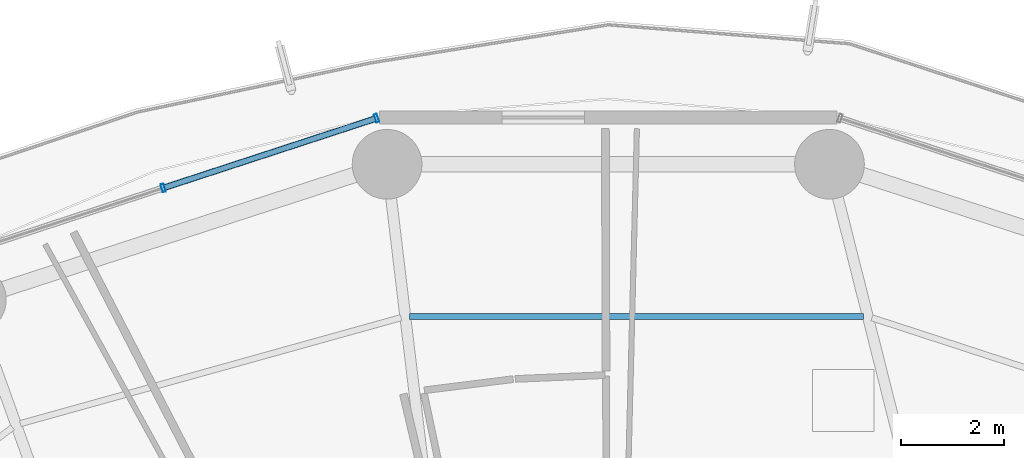
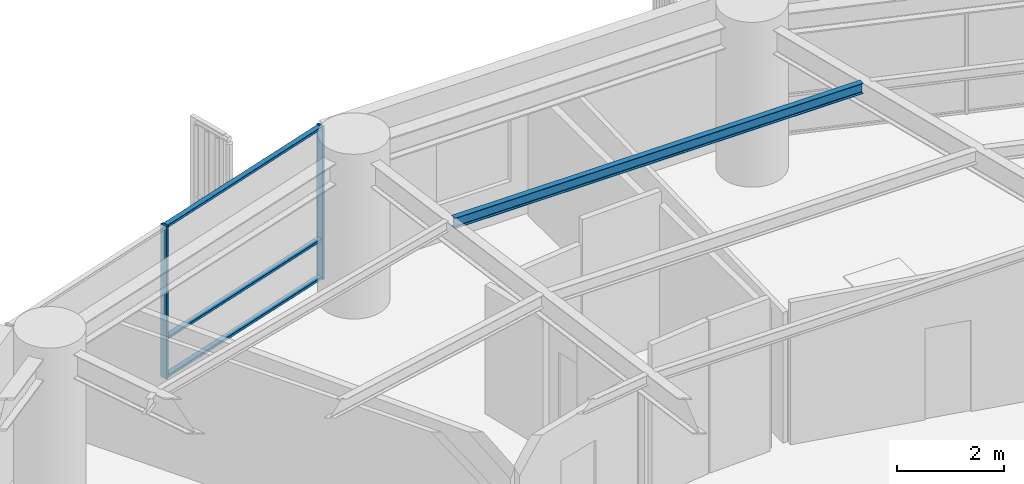
# One storey, part 22 of 35: 5 members, 1 beam, 1 element without a shape of its own.
"""IFC4 building model written with IfcOpenShell, lengths in metres."""

import ifcopenshell
import ifcopenshell.guid

model = None  # the IFC model being written
_history = None  # IfcOwnerHistory: only IFC2X3 demands one
_inside = {}  # id of a spatial element -> (the spatial element, [elements in it])
_under = {}  # id of a project, library or spatial element -> (it, [spatial elements below it])
_declared = {}  # id of a project -> (the project, [libraries it declares])
_typed = {}  # id of a type object -> (the type object, [elements of that type])
_made_of = {}  # id of a material, layer set ... -> (it, [elements and type objects made of it])


def new_model(schema):
    """Start an empty IFC model of exactly this schema.

    Asked for "IFC4X3", IfcOpenShell would pick the latest addendum, in which some entities
    have other attributes; the version numbers below select the first issue.
    IFC2X3 requires an IfcOwnerHistory on every rooted entity: one is made here for all.
    """
    global model, _history
    if schema == "IFC4X3":
        model = ifcopenshell.file(schema_version=(4, 3, 0, 0))
    else:
        model = ifcopenshell.file(schema=schema)
    _inside.clear()
    _under.clear()
    _declared.clear()
    _typed.clear()
    _made_of.clear()
    _history = None
    if model.schema == "IFC2X3":
        org = make("IfcOrganization", Name="unknown")
        user = make(
            "IfcPersonAndOrganization",
            ThePerson=make("IfcPerson", FamilyName="unknown"),
            TheOrganization=org,
        )
        app = make(
            "IfcApplication",
            ApplicationDeveloper=org,
            Version="unknown",
            ApplicationFullName="unknown",
            ApplicationIdentifier="unknown",
        )
        _history = make(
            "IfcOwnerHistory",
            OwningUser=user,
            OwningApplication=app,
            ChangeAction="ADDED",
            CreationDate=0,
        )
    return model


def make(cls, **values):
    """One entity of the class cls with the attributes given. An attribute that is None is left unset."""
    return model.create_entity(
        cls, **{name: value for name, value in values.items() if value is not None}
    )


def rooted(cls, **values):
    """An entity with a GlobalId (a new one), such as an element, a storey or a relation."""
    return make(cls, GlobalId=ifcopenshell.guid.new(), OwnerHistory=_history, **values)


def si_unit(unit_type, name, prefix=None):
    """IfcSIUnit, for example si_unit("LENGTHUNIT", "METRE", prefix="MILLI")."""
    return make("IfcSIUnit", UnitType=unit_type, Prefix=prefix, Name=name)


def assignment(units):
    """IfcUnitAssignment: the units of a project."""
    return None if units is None else make("IfcUnitAssignment", Units=units)


def point(xyz):
    """IfcCartesianPoint."""
    return None if xyz is None else make("IfcCartesianPoint", Coordinates=xyz)


def direction(xyz):
    """IfcDirection."""
    return None if xyz is None else make("IfcDirection", DirectionRatios=xyz)


def frame(location, z_axis=None, x_axis=None):
    """IfcAxis2Placement3D, a coordinate frame: its origin and axes. An axis left out is left unset."""
    return make(
        "IfcAxis2Placement3D",
        Location=point(location),
        Axis=direction(z_axis),
        RefDirection=direction(x_axis),
    )


def frame_2d(location, x_axis=None):
    """IfcAxis2Placement2D, a coordinate frame in the plane: its origin and x axis."""
    return make(
        "IfcAxis2Placement2D", Location=point(location), RefDirection=direction(x_axis)
    )


def origin():
    """The frame at (0, 0, 0) with its axes left unset."""
    return frame((0.0, 0.0, 0.0))


def origin_2d():
    """The frame at (0, 0) in the plane with its x axis left unset."""
    return frame_2d((0.0, 0.0))


def place(relative_to, where):
    """IfcLocalPlacement: puts the frame where relative to a parent placement (None: the world)."""
    return make(
        "IfcLocalPlacement", PlacementRelTo=relative_to, RelativePlacement=where
    )


def context(
    kind, dimensions, precision=None, world=None, true_north=None, identifier=None
):
    """IfcGeometricRepresentationContext, for example the 3D "Model" context."""
    return make(
        "IfcGeometricRepresentationContext",
        ContextIdentifier=identifier,
        ContextType=kind,
        CoordinateSpaceDimension=dimensions,
        Precision=precision,
        WorldCoordinateSystem=world,
        TrueNorth=true_north,
    )


def subcontext(parent, identifier, kind, view, scale=None):
    """IfcGeometricRepresentationSubContext, for example "Body" below "Model"."""
    return make(
        "IfcGeometricRepresentationSubContext",
        ContextIdentifier=identifier,
        ContextType=kind,
        ParentContext=parent,
        TargetScale=scale,
        TargetView=view,
    )


def project(units=None, contexts=None):
    """IfcProject with its units and contexts."""
    return rooted(
        "IfcProject",
        Name="project",
        RepresentationContexts=contexts,
        UnitsInContext=assignment(units),
    )


def spatial(cls, under=None, at=None, **own):
    """A site, building, storey or space (cls), placed at a placement, below another one or the project."""
    s = rooted(cls, ObjectPlacement=at, **own)
    if under is not None:
        _under.setdefault(under.id(), (under, []))[1].append(s)
    return s


def profile(cls, at=None, kind="AREA", **sizes):
    """A parametric profile (cls). Its sizes go by their IFC names, for example OverallWidth=200.0."""
    return make(cls, ProfileType=kind, Position=at, **sizes)


def hollow_rectangle(**sizes):
    """IfcRectangleHollowProfileDef."""
    return profile("IfcRectangleHollowProfileDef", **sizes)


def i_section(**sizes):
    """IfcIShapeProfileDef."""
    return profile("IfcIShapeProfileDef", **sizes)


def extrude(swept, where, along, depth):
    """IfcExtrudedAreaSolid: the profile swept, set in the frame where, extruded along a direction by depth."""
    return make(
        "IfcExtrudedAreaSolid",
        SweptArea=swept,
        Position=where,
        ExtrudedDirection=direction(along),
        Depth=depth,
    )


def shape(context_of_items, identifier, shape_type, items):
    """IfcShapeRepresentation: the items that make up one representation, for example the "Body"."""
    return make(
        "IfcShapeRepresentation",
        ContextOfItems=context_of_items,
        RepresentationIdentifier=identifier,
        RepresentationType=shape_type,
        Items=items,
    )


def material(Name=None, Category=None):
    """IfcMaterial."""
    return make("IfcMaterial", Name=Name, Category=Category)


def layer(
    of_material, thickness, ventilated=None, Name=None, Category=None, Priority=None
):
    """IfcMaterialLayer: one layer of a wall or slab, of a material (None: an air gap)."""
    return make(
        "IfcMaterialLayer",
        Material=of_material,
        LayerThickness=thickness,
        IsVentilated=ventilated,
        Name=Name,
        Category=Category,
        Priority=Priority,
    )


def layer_set(layers, Name=None):
    """IfcMaterialLayerSet."""
    return make("IfcMaterialLayerSet", MaterialLayers=layers, LayerSetName=Name)


def material_profile(
    of_material, cross_section, Name=None, Category=None, Priority=None
):
    """IfcMaterialProfile: a cross section and its material."""
    return make(
        "IfcMaterialProfile",
        Name=Name,
        Material=of_material,
        Profile=cross_section,
        Priority=Priority,
        Category=Category,
    )


def profile_set(profiles, Name=None, composite=None):
    """IfcMaterialProfileSet."""
    return make(
        "IfcMaterialProfileSet",
        Name=Name,
        MaterialProfiles=profiles,
        CompositeProfile=composite,
    )


def made_of(thing, what):
    """Note that an element or type object is made of a material, layer set ...; save() writes the relation."""
    if what is not None:
        _made_of.setdefault(what.id(), (what, []))[1].append(thing)
    return thing


def type_object(cls, material=None, **own):
    """A type object (cls), such as IfcWallType, which elements share."""
    return made_of(rooted(cls, **own), material)


def element(
    cls,
    number,
    at=None,
    inside=None,
    cuts=None,
    type_object=None,
    material=None,
    context=None,
    identifier="Body",
    shape_type=None,
    held_by="IfcProductDefinitionShape",
    body=None,
    shapes=None,
    **own,
):
    """One element of the class cls, such as IfcWall. Its Tag is "e" and its number.

    at: its placement. inside: the storey or other place that contains it. cuts: it is an
    opening in that element (IfcRelVoidsElement). A single representation is given by context,
    identifier, shape_type and body (its items); several are given by shapes. held_by: the class
    of the entity that holds the representations. save() writes the other relations.
    """
    e = rooted(cls, Tag="e%d" % number, ObjectPlacement=at, **own)
    if body is not None:
        shapes = [shape(context, identifier, shape_type, body)]
    if shapes is not None:
        e.Representation = make(held_by, Representations=shapes)
    if inside is not None:
        _inside.setdefault(inside.id(), (inside, []))[1].append(e)
    if cuts is not None:
        rooted(
            "IfcRelVoidsElement", RelatingBuildingElement=cuts, RelatedOpeningElement=e
        )
    if type_object is not None:
        _typed.setdefault(type_object.id(), (type_object, []))[1].append(e)
    return made_of(e, material)


def aggregate(whole, parts):
    """IfcRelAggregates: a whole, such as a stair, and the parts it consists of."""
    return rooted("IfcRelAggregates", RelatingObject=whole, RelatedObjects=parts)


def save(model, path):
    """Write the relations noted so far, then the file.

    IfcRelAggregates (storeys below a building ...), IfcRelContainedInSpatialStructure (elements
    in a storey), IfcRelDefinesByType, IfcRelAssociatesMaterial and IfcRelDeclares: one each for
    every whole, place, type object, material and project.
    """
    for whole, parts in _under.values():
        aggregate(whole, parts)
    for where, things in _inside.values():
        rooted(
            "IfcRelContainedInSpatialStructure",
            RelatedElements=things,
            RelatingStructure=where,
        )
    for kind, things in _typed.values():
        rooted("IfcRelDefinesByType", RelatedObjects=things, RelatingType=kind)
    for what, things in _made_of.values():
        rooted("IfcRelAssociatesMaterial", RelatedObjects=things, RelatingMaterial=what)
    for by, libraries in _declared.values():
        rooted("IfcRelDeclares", RelatingContext=by, RelatedDefinitions=libraries)
    model.write(path)


model = new_model("IFC4")

# Units and contexts
model_context = context("Model", 3, precision=1e-05, world=origin(), true_north=direction((0.0, 1.0)))
body_context = subcontext(model_context, "Body", "Model", "MODEL_VIEW")
ifc_project = project(units=[si_unit("LENGTHUNIT", "METRE"), si_unit("AREAUNIT", "SQUARE_METRE"), si_unit("VOLUMEUNIT", "CUBIC_METRE"), si_unit("PLANEANGLEUNIT", "RADIAN"), si_unit("MASSUNIT", "GRAM", prefix="KILO")], contexts=[model_context])

# Site, building, storey
site_placement = place(None, origin())
site = spatial("IfcSite", under=ifc_project, at=site_placement, CompositionType="ELEMENT")
building_placement = place(site_placement, origin())
building = spatial("IfcBuilding", under=site, at=building_placement, Name="Kelanora Arch Commons", CompositionType="ELEMENT")
storey_placement = place(building_placement, frame((0.0, 0.0, 117.60009765625)))
storey = spatial("IfcBuildingStorey", under=building, at=storey_placement, Name="L30", CompositionType="ELEMENT", Elevation=117.60009765625)

# Beam
ifc_material_1 = material(Name="Steel S355", Category="steel")
ifc_material_profile_1 = material_profile(ifc_material_1, i_section(OverallWidth=0.1201171875, OverallDepth=0.239990234375, WebThickness=0.006103515625, FlangeThickness=0.009765625, FilletRadius=0.014892578125, at=origin_2d()), Name="IPE240")
ifc_profile_set_1 = profile_set([ifc_material_profile_1], Name="Steel S355")
beam_type = type_object("IfcBeamType", Name="BM-JST-02", PredefinedType="JOIST", material=ifc_profile_set_1)
beam_placement = place(storey_placement, frame((78.943603515625, 76.795654296875, 3.369873046875), z_axis=(-1.0, 0.0, 0.0), x_axis=(0.0, -1.0, 0.0)))
element("IfcBeam", 1, at=beam_placement, inside=storey, type_object=beam_type, Name="Secondary Chord Joist BJC-08 L30", PredefinedType="JOIST", context=body_context, shape_type="SweptSolid", body=[
    extrude(i_section(OverallWidth=0.1201171875, OverallDepth=0.239990234375, WebThickness=0.006103515625, FlangeThickness=0.009765625, FilletRadius=0.014892578125, at=origin_2d()), origin(), (0.0, 0.0, 1.0), 8.791015625),
])

# Curtain wall, members
ifc_material_2 = material(Name="Terracotta ceramic-fritted low-E glass and aluminium", Category="masonry")
ifc_layer = layer(ifc_material_2, 0.159912109375)
ifc_layer_set = layer_set([ifc_layer], Name="Terracotta ceramic-fritted low-E glass and aluminium")
curtain_wall_type = type_object("IfcCurtainWallType", Name="CW-SYS-01", PredefinedType="NOTDEFINED", material=ifc_layer_set)
curtain_wall_placement = place(storey_placement, origin())
curtain_wall = element("IfcCurtainWall", 2, at=curtain_wall_placement, inside=storey, type_object=curtain_wall_type, Name="Unitised Curtain Wall L30-B05", PredefinedType="NOTDEFINED")
ifc_material_3 = material(Name="Powder-coated aluminium terracotta", Category="masonry")
ifc_material_profile_2 = material_profile(ifc_material_3, hollow_rectangle(XDim=0.159912109375, YDim=0.06005859375, WallThickness=0.0048828125, InnerFilletRadius=0.0048828125, OuterFilletRadius=0.010009765625, at=origin_2d()), Name="CWM160x60")
ifc_profile_set_2 = profile_set([ifc_material_profile_2], Name="Powder-coated aluminium terracotta")
member_type_1 = type_object("IfcMemberType", Name="CWM-STD", PredefinedType="MULLION", material=ifc_profile_set_2)
member_1_placement = place(storey_placement, frame((69.51171875, 80.636474609375, 0.0), z_axis=(0.0, 0.0, 1.0), x_axis=(0.31080470294, -0.950473795867, 0.0)))
member_1 = element("IfcMember", 3, at=member_1_placement, type_object=member_type_1, Name="CW-01 mullion 1", PredefinedType="MULLION", context=body_context, shape_type="SweptSolid", body=[
    extrude(hollow_rectangle(XDim=0.159912109375, YDim=0.06005859375, WallThickness=0.0048828125, InnerFilletRadius=0.0048828125, OuterFilletRadius=0.010009765625, at=origin_2d()), origin(), (0.0, 0.0, 1.0), 3.474853515625),
])
member_2_placement = place(storey_placement, frame((65.377197265625, 79.28466796875, 0.0), z_axis=(0.0, 0.0, 1.0), x_axis=(0.31080470294, -0.950473795867, 0.0)))
member_2 = element("IfcMember", 4, at=member_2_placement, type_object=member_type_1, Name="CW-01 mullion 2", PredefinedType="MULLION", context=body_context, shape_type="SweptSolid", body=[
    extrude(hollow_rectangle(XDim=0.159912109375, YDim=0.06005859375, WallThickness=0.0048828125, InnerFilletRadius=0.0048828125, OuterFilletRadius=0.010009765625, at=origin_2d()), origin(), (0.0, 0.0, 1.0), 3.474853515625),
])
ifc_material_profile_3 = material_profile(ifc_material_3, hollow_rectangle(XDim=0.1201171875, YDim=0.06005859375, WallThickness=0.0048828125, InnerFilletRadius=0.0048828125, OuterFilletRadius=0.010009765625, at=origin_2d()), Name="CWT120x60")
ifc_profile_set_3 = profile_set([ifc_material_profile_3], Name="Powder-coated aluminium terracotta")
member_type_2 = type_object("IfcMemberType", Name="CWT-STD", PredefinedType="USERDEFINED", material=ifc_profile_set_3)
member_3_placement = place(storey_placement, frame((69.483154296875, 80.627197265625, 0.02978515625), z_axis=(-0.950477544745, -0.31079323824, 0.0), x_axis=(0.31079323824, -0.950477544745, 0.0)))
member_3 = element("IfcMember", 5, at=member_3_placement, type_object=member_type_2, Name="CW-01 transom 1.1", ObjectType="TRANSOM", PredefinedType="USERDEFINED", context=body_context, shape_type="SweptSolid", body=[
    extrude(hollow_rectangle(XDim=0.1201171875, YDim=0.06005859375, WallThickness=0.0048828125, InnerFilletRadius=0.0048828125, OuterFilletRadius=0.010009765625, at=origin_2d()), origin(), (0.0, 0.0, 1.0), 4.289794921875),
])
member_4_placement = place(storey_placement, frame((69.483154296875, 80.627197265625, 0.89990234375), z_axis=(-0.950477544745, -0.31079323824, 0.0), x_axis=(0.31079323824, -0.950477544745, 0.0)))
member_4 = element("IfcMember", 6, at=member_4_placement, type_object=member_type_2, Name="CW-01 transom 1.2", ObjectType="TRANSOM", PredefinedType="USERDEFINED", context=body_context, shape_type="SweptSolid", body=[
    extrude(hollow_rectangle(XDim=0.1201171875, YDim=0.06005859375, WallThickness=0.0048828125, InnerFilletRadius=0.0048828125, OuterFilletRadius=0.010009765625, at=origin_2d()), origin(), (0.0, 0.0, 1.0), 4.289794921875),
])
member_5_placement = place(storey_placement, frame((69.483154296875, 80.627197265625, 3.44482421875), z_axis=(-0.950477544745, -0.31079323824, 0.0), x_axis=(0.31079323824, -0.950477544745, 0.0)))
member_5 = element("IfcMember", 7, at=member_5_placement, type_object=member_type_2, Name="CW-01 transom 1.3", ObjectType="TRANSOM", PredefinedType="USERDEFINED", context=body_context, shape_type="SweptSolid", body=[
    extrude(hollow_rectangle(XDim=0.1201171875, YDim=0.06005859375, WallThickness=0.0048828125, InnerFilletRadius=0.0048828125, OuterFilletRadius=0.010009765625, at=origin_2d()), origin(), (0.0, 0.0, 1.0), 4.289794921875),
])
aggregate(curtain_wall, [member_1, member_2, member_3, member_4, member_5])

save(model, "model.ifc")
